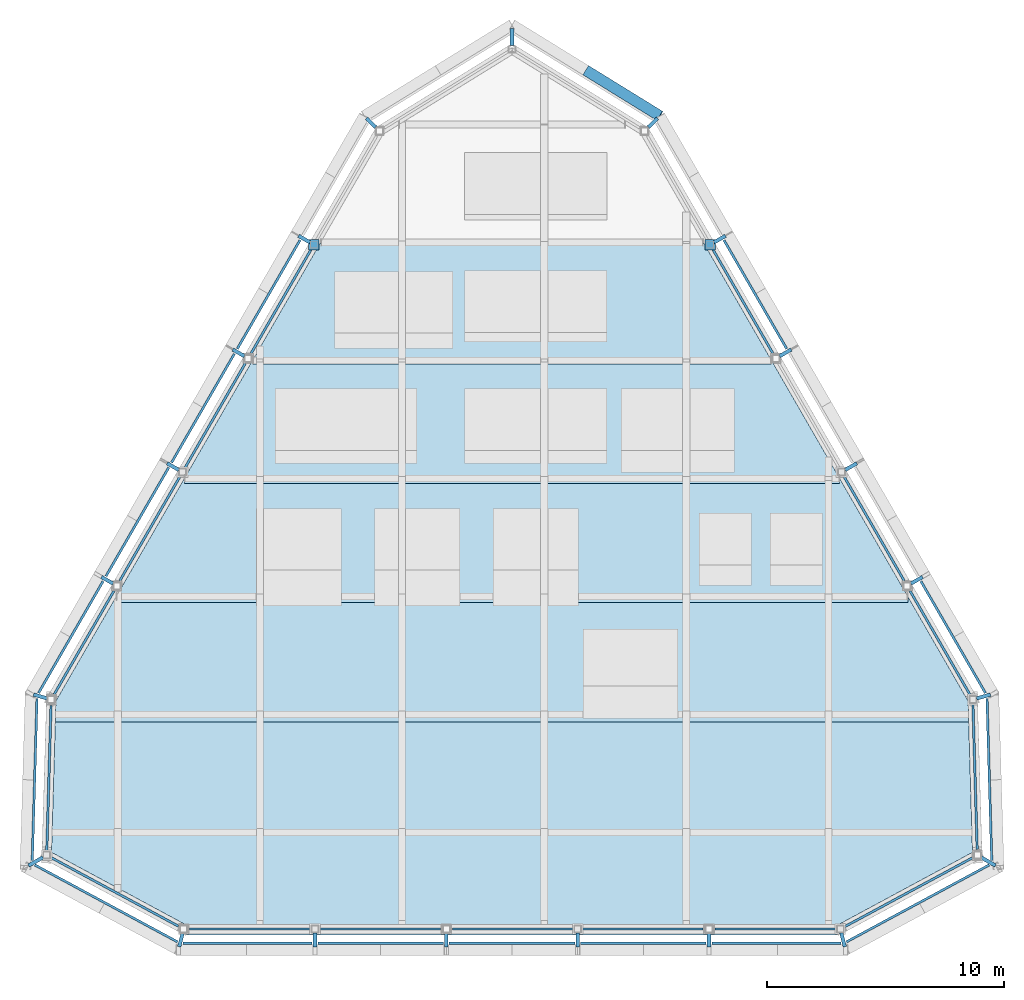
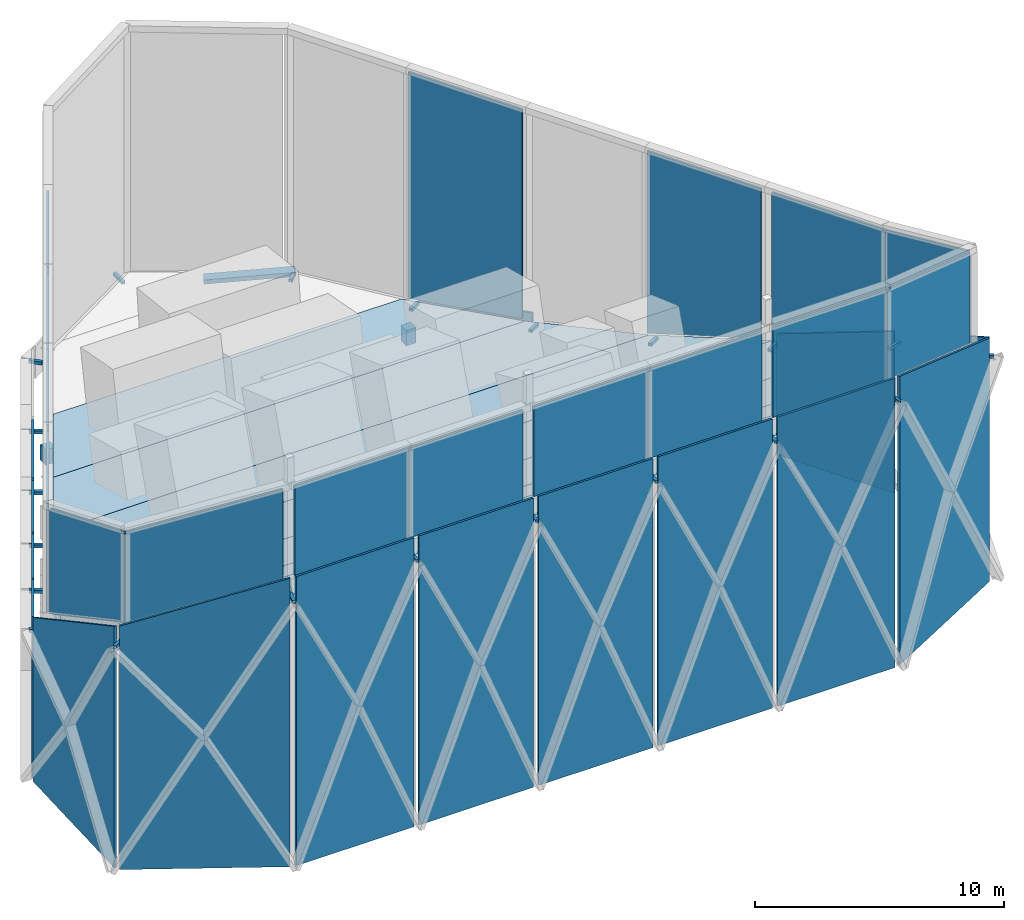
# One storey, part 5 of 13: 31 plates, 24 members, 6 slabs.
"""IFC4 building model written with IfcOpenShell, lengths in metres."""

from ifc_helpers import new_model, si_unit, direction, frame, origin, origin_2d, place, context, subcontext, project, spatial, polyline, rectangle, hollow_rectangle, outline, extrude, material, layer, layer_set, material_profile, profile_set, type_object, element, save


model = new_model("IFC4")

# Units and contexts
model_context = context("Model", 3, precision=1e-05, world=origin(), true_north=direction((0.0, 1.0)))
body_context = subcontext(model_context, "Body", "Model", "MODEL_VIEW")
ifc_project = project(units=[si_unit("LENGTHUNIT", "METRE"), si_unit("AREAUNIT", "SQUARE_METRE"), si_unit("VOLUMEUNIT", "CUBIC_METRE"), si_unit("PLANEANGLEUNIT", "RADIAN"), si_unit("MASSUNIT", "GRAM", prefix="KILO")], contexts=[model_context])

# Site, building, storey
site_placement = place(None, origin())
site = spatial("IfcSite", under=ifc_project, at=site_placement, CompositionType="ELEMENT")
building_placement = place(site_placement, origin())
building = spatial("IfcBuilding", under=site, at=building_placement, Name="Firuza Gate Tower and Library", CompositionType="ELEMENT")
storey_placement = place(building_placement, frame((0.0, 0.0, 358.0)))
storey = spatial("IfcBuildingStorey", under=building, at=storey_placement, Name="Upper roof", CompositionType="ELEMENT", Elevation=358.0)

# Members
ifc_material_1 = material(Name="Steel S355", Category="steel")
ifc_material_profile_1 = material_profile(ifc_material_1, hollow_rectangle(XDim=0.457275390625, YDim=0.203125, WallThickness=0.01171875, at=origin_2d()))
ifc_profile_set_1 = profile_set([ifc_material_profile_1], Name="Steel S355")
member_type_1 = type_object("IfcMemberType", Name="Crown lattice bar HSS203x457x13", PredefinedType="BRACE", material=ifc_profile_set_1)
member_1_placement = place(storey_placement, frame((81.241943359375, 94.860595703125, 0.50439453125), z_axis=(-0.844498510636, 0.521114312125, -0.123540030892), x_axis=(-0.525137077741, -0.85101765527, 0.0)))
element("IfcMember", 1, at=member_1_placement, inside=storey, type_object=member_type_1, Name="Crown lattice band bar 15.2a", PredefinedType="BRACE", context=body_context, shape_type="SweptSolid", body=[
    extrude(hollow_rectangle(XDim=0.457275390625, YDim=0.203125, WallThickness=0.01171875, at=origin_2d()), origin(), (0.0, 0.0, 1.0), 3.695556640625),
])
ifc_material_2 = material(Name="Steel S355", Category="steel")
ifc_material_profile_2 = material_profile(ifc_material_2, hollow_rectangle(XDim=0.15234375, YDim=0.15234375, WallThickness=0.0087890625, at=origin_2d()))
ifc_profile_set_2 = profile_set([ifc_material_profile_2], Name="Steel S355")
member_type_2 = type_object("IfcMemberType", Name="Crown lattice node stub HSS152x152x9.5", PredefinedType="BRACE", material=ifc_profile_set_2)
member_2_placement = place(storey_placement, frame((55.390869140625, 70.2734375, 6.963134765625), z_axis=(-0.962022974159, 0.272968491205, 0.0), x_axis=(-0.272968491205, -0.962022974159, 0.0)))
element("IfcMember", 2, at=member_2_placement, inside=storey, type_object=member_type_2, Name="Crown lattice band stub 1.t", PredefinedType="BRACE", context=body_context, shape_type="SweptSolid", body=[
    extrude(hollow_rectangle(XDim=0.15234375, YDim=0.15234375, WallThickness=0.0087890625, at=origin_2d()), origin(), (0.0, 0.0, 1.0), 0.607177734375),
])
member_3_placement = place(storey_placement, frame((55.19873046875, 63.56787109375, 10.5810546875), z_axis=(-0.865881945293, -0.500248395115, 0.0), x_axis=(0.500248395115, -0.865881945293, 0.0)))
element("IfcMember", 3, at=member_3_placement, inside=storey, type_object=member_type_2, Name="Crown lattice band stub 2.t", PredefinedType="BRACE", context=body_context, shape_type="SweptSolid", body=[
    extrude(hollow_rectangle(XDim=0.15234375, YDim=0.15234375, WallThickness=0.0087890625, at=origin_2d()), origin(), (0.0, 0.0, 1.0), 0.696533203125),
])
member_4_placement = place(storey_placement, frame((61.1025390625, 60.382568359375, 12.65380859375), z_axis=(-0.244705986985, -0.969597328758, 0.0), x_axis=(0.969597328758, -0.244705986985, 0.0)))
element("IfcMember", 4, at=member_4_placement, inside=storey, type_object=member_type_2, Name="Crown lattice band stub 3.t", PredefinedType="BRACE", context=body_context, shape_type="SweptSolid", body=[
    extrude(hollow_rectangle(XDim=0.15234375, YDim=0.15234375, WallThickness=0.0087890625, at=origin_2d()), origin(), (0.0, 0.0, 1.0), 0.608642578125),
])
for number, where, z_axis, x_axis, name in (
    (5, (66.685791015625, 60.382568359375, 12.65380859375), (0.0, -1.0, 0.0), (1.0, 0.0, 0.0), "Crown lattice band stub 4.t"),
    (6, (72.228515625, 60.382568359375, 12.65380859375), (0.0, -1.0, 0.0), (1.0, 0.0, 0.0), "Crown lattice band stub 5.t"),
    (7, (77.771484375, 60.382568359375, 12.65380859375), (0.0, -1.0, 0.0), (1.0, 0.0, 0.0), "Crown lattice band stub 6.t"),
    (8, (83.314208984375, 60.382568359375, 12.65380859375), (0.0, -1.0, 0.0), (1.0, 0.0, 0.0), "Crown lattice band stub 7.t"),
):
    element("IfcMember", number, at=place(storey_placement, frame(where, z_axis=z_axis, x_axis=x_axis)), inside=storey, type_object=member_type_2, Name=name, PredefinedType="BRACE", context=body_context, shape_type="SweptSolid", body=[
        extrude(hollow_rectangle(XDim=0.15234375, YDim=0.15234375, WallThickness=0.0087890625, at=origin_2d()), origin(), (0.0, 0.0, 1.0), 0.590087890625),
    ])
member_5_placement = place(storey_placement, frame((88.8974609375, 60.382568359375, 12.65380859375), z_axis=(0.244705986985, -0.969597328758, 0.0), x_axis=(0.969597328758, 0.244705986985, 0.0)))
element("IfcMember", 9, at=member_5_placement, inside=storey, type_object=member_type_2, Name="Crown lattice band stub 8.t", PredefinedType="BRACE", context=body_context, shape_type="SweptSolid", body=[
    extrude(hollow_rectangle(XDim=0.15234375, YDim=0.15234375, WallThickness=0.0087890625, at=origin_2d()), origin(), (0.0, 0.0, 1.0), 0.608642578125),
])
member_6_placement = place(storey_placement, frame((94.80126953125, 63.56787109375, 10.5810546875), z_axis=(0.865881945293, -0.500248395115, 0.0), x_axis=(0.500248395115, 0.865881945293, 0.0)))
element("IfcMember", 10, at=member_6_placement, inside=storey, type_object=member_type_2, Name="Crown lattice band stub 9.t", PredefinedType="BRACE", context=body_context, shape_type="SweptSolid", body=[
    extrude(hollow_rectangle(XDim=0.15234375, YDim=0.15234375, WallThickness=0.0087890625, at=origin_2d()), origin(), (0.0, 0.0, 1.0), 0.696533203125),
])
member_7_placement = place(storey_placement, frame((94.609130859375, 70.2734375, 6.963134765625), z_axis=(0.962022974159, 0.272968491205, 0.0), x_axis=(-0.272968491205, 0.962022974159, 0.0)))
element("IfcMember", 11, at=member_7_placement, inside=storey, type_object=member_type_2, Name="Crown lattice band stub 10.t", PredefinedType="BRACE", context=body_context, shape_type="SweptSolid", body=[
    extrude(hollow_rectangle(XDim=0.15234375, YDim=0.15234375, WallThickness=0.0087890625, at=origin_2d()), origin(), (0.0, 0.0, 1.0), 0.607177734375),
])
for number, where, z_axis, x_axis, name in (
    (12, (91.837646484375, 75.120849609375, 4.881591796875), (0.86613523903, 0.4998097115, 0.0), (-0.4998097115, 0.86613523903, 0.0), "Crown lattice band stub 11.t"),
    (13, (89.06640625, 79.9208984375, 3.22216796875), (0.865948210146, 0.500133679476, 0.0), (-0.500133679476, 0.865948210146, 0.0), "Crown lattice band stub 12.t"),
    (14, (86.294921875, 84.72119140625, 1.952880859375), (0.865948210146, 0.500133679476, 0.0), (-0.500133679476, 0.865948210146, 0.0), "Crown lattice band stub 13.t"),
    (15, (83.5234375, 89.521484375, 1.052001953125), (0.865948210146, 0.500133679476, 0.0), (-0.500133679476, 0.865948210146, 0.0), "Crown lattice band stub 14.t"),
):
    element("IfcMember", number, at=place(storey_placement, frame(where, z_axis=z_axis, x_axis=x_axis)), inside=storey, type_object=member_type_2, Name=name, PredefinedType="BRACE", context=body_context, shape_type="SweptSolid", body=[
        extrude(hollow_rectangle(XDim=0.15234375, YDim=0.15234375, WallThickness=0.0087890625, at=origin_2d()), origin(), (0.0, 0.0, 1.0), 0.565185546875),
    ])
member_8_placement = place(storey_placement, frame((80.751953125, 94.384765625, 0.50439453125), z_axis=(0.717450320093, 0.696609674207, 0.0), x_axis=(-0.696609674207, 0.717450320093, 0.0)))
element("IfcMember", 16, at=member_8_placement, inside=storey, type_object=member_type_2, Name="Crown lattice band stub 15.t", PredefinedType="BRACE", context=body_context, shape_type="SweptSolid", body=[
    extrude(hollow_rectangle(XDim=0.15234375, YDim=0.15234375, WallThickness=0.0087890625, at=origin_2d()), origin(), (0.0, 0.0, 1.0), 0.550537109375),
])
member_9_placement = place(storey_placement, frame((75.0, 97.839599609375, 0.323974609375), z_axis=(0.0, 1.0, 0.0), x_axis=(-1.0, 0.0, 0.0)))
element("IfcMember", 17, at=member_9_placement, inside=storey, type_object=member_type_2, Name="Crown lattice band stub 16.t", PredefinedType="BRACE", context=body_context, shape_type="SweptSolid", body=[
    extrude(hollow_rectangle(XDim=0.15234375, YDim=0.15234375, WallThickness=0.0087890625, at=origin_2d()), origin(), (0.0, 0.0, 1.0), 0.721435546875),
])
member_10_placement = place(storey_placement, frame((69.248046875, 94.384765625, 0.50439453125), z_axis=(-0.717450320093, 0.696609674207, 0.0), x_axis=(-0.696609674207, -0.717450320093, 0.0)))
element("IfcMember", 18, at=member_10_placement, inside=storey, type_object=member_type_2, Name="Crown lattice band stub 17.t", PredefinedType="BRACE", context=body_context, shape_type="SweptSolid", body=[
    extrude(hollow_rectangle(XDim=0.15234375, YDim=0.15234375, WallThickness=0.0087890625, at=origin_2d()), origin(), (0.0, 0.0, 1.0), 0.550537109375),
])
for number, where, z_axis, x_axis, name in (
    (19, (66.4765625, 89.521484375, 1.052001953125), (-0.865948210146, 0.500133679476, 0.0), (-0.500133679476, -0.865948210146, 0.0), "Crown lattice band stub 18.t"),
    (20, (63.705078125, 84.72119140625, 1.952880859375), (-0.865948210146, 0.500133679476, 0.0), (-0.500133679476, -0.865948210146, 0.0), "Crown lattice band stub 19.t"),
    (21, (60.93359375, 79.9208984375, 3.22216796875), (-0.865948210146, 0.500133679476, 0.0), (-0.500133679476, -0.865948210146, 0.0), "Crown lattice band stub 20.t"),
    (22, (58.162353515625, 75.120849609375, 4.881591796875), (-0.86613523903, 0.4998097115, 0.0), (-0.4998097115, -0.86613523903, 0.0), "Crown lattice band stub 21.t"),
):
    element("IfcMember", number, at=place(storey_placement, frame(where, z_axis=z_axis, x_axis=x_axis)), inside=storey, type_object=member_type_2, Name=name, PredefinedType="BRACE", context=body_context, shape_type="SweptSolid", body=[
        extrude(hollow_rectangle(XDim=0.15234375, YDim=0.15234375, WallThickness=0.0087890625, at=origin_2d()), origin(), (0.0, 0.0, 1.0), 0.565185546875),
    ])
ifc_material_3 = material(Name="Concrete C60/75", Category="concrete")
ifc_material_profile_3 = material_profile(ifc_material_3, rectangle(XDim=0.449951171875, YDim=0.449951171875, at=origin_2d()))
ifc_profile_set_3 = profile_set([ifc_material_profile_3], Name="Concrete C60/75")
member_type_3 = type_object("IfcMemberType", Name="Crown roof post 450x450", PredefinedType="POST", material=ifc_profile_set_3)
for number, where, z_axis, x_axis, name in (
    (23, (83.363525390625, 89.42919921875, -0.39990234375), (0.0, 0.0, 1.0), (1.0, 0.0, 0.0), "Crown roof post 14"),
    (24, (66.636474609375, 89.42919921875, -0.39990234375), (0.0, 0.0, 1.0), (1.0, 0.0, 0.0), "Crown roof post 18"),
):
    element("IfcMember", number, at=place(storey_placement, frame(where, z_axis=z_axis, x_axis=x_axis)), inside=storey, type_object=member_type_3, Name=name, PredefinedType="POST", context=body_context, shape_type="SweptSolid", body=[
        extrude(rectangle(XDim=0.449951171875, YDim=0.449951171875, at=origin_2d()), origin(), (0.0, 0.0, 1.0), 0.751953125),
    ])

# Slabs
ifc_material_4 = material(Name="Steel S355 and ceramic coating", Category="steel")
ifc_layer_1 = layer(ifc_material_4, 0.800048828125)
ifc_layer_set_1 = layer_set([ifc_layer_1], Name="Crown roof strip 800")
slab_type = type_object("IfcSlabType", Name="Crown roof strip 800", PredefinedType="ROOF", material=ifc_layer_set_1)
slab_1_placement = place(storey_placement, frame((64.045166015625, 84.540771484375, 2.6728515625), z_axis=(0.0, 0.184462793358, 0.98283949751), x_axis=(1.0, 0.0, 0.0)))
element("IfcSlab", 25, at=slab_1_placement, inside=storey, type_object=slab_type, Name="Crown roof strip 3", PredefinedType="ROOF", context=body_context, shape_type="SweptSolid", body=[
    extrude(outline(polyline([(0.0, 0.0), (21.90966796875, 0.0), (19.14501953125, 4.871933253667714), (19.03466796875, 5.066435049852844), (2.875, 5.066435049852844), (2.7646484375, 4.871933253667714), (0.0, 0.0)])), origin(), (0.0, 0.0, -1.0), 0.800048828125),
])
slab_2_placement = place(storey_placement, frame((61.170166015625, 79.56103515625, 4.00390625), z_axis=(0.0, 0.258227237694, 0.966084206326), x_axis=(1.0, 0.0, 0.0)))
element("IfcSlab", 26, at=slab_2_placement, inside=storey, type_object=slab_type, Name="Crown roof strip 4", PredefinedType="ROOF", context=body_context, shape_type="SweptSolid", body=[
    extrude(outline(polyline([(0.0, 0.0), (27.65966796875, 0.0), (27.56298828125, 0.17333724366156644), (24.79150390625, 5.142182464878713), (24.78466796875, 5.154559193443169), (2.875, 5.154559193443169), (2.8681640625, 5.142182464878713), (0.0966796875, 0.17333724366156644), (0.0, 0.0)])), origin(), (0.0, 0.0, -1.0), 0.800048828125),
])
slab_3_placement = place(storey_placement, frame((58.295166015625, 74.58154296875, 5.7568359375), z_axis=(0.0, 0.332054668187, 0.94326014298), x_axis=(1.0, 0.0, 0.0)))
element("IfcSlab", 27, at=slab_3_placement, inside=storey, type_object=slab_type, Name="Crown roof strip 5", PredefinedType="ROOF", context=body_context, shape_type="SweptSolid", body=[
    extrude(outline(polyline([(0.0, 0.0), (33.40966796875, 0.0), (33.209228515625, 0.3677734368331324), (30.53466796875, 5.279024998488504), (2.875, 5.279024998488504), (0.200439453125, 0.3677734368331324), (0.0, 0.0)])), origin(), (0.0, 0.0, -1.0), 0.800048828125),
])
slab_4_placement = place(storey_placement, frame((55.749267578125, 70.171875, 7.715087890625), z_axis=(0.0, 0.405864224394, 0.913933384529), x_axis=(-0.026605938189, -0.913609851534, 0.405720548202)))
element("IfcSlab", 28, at=slab_4_placement, inside=storey, type_object=slab_type, Name="Crown roof strip 6", PredefinedType="ROOF", context=body_context, shape_type="SweptSolid", body=[
    extrude(outline(polyline([(0.0, 0.0), (0.6239795936557441, 1.3010426069826053e-18), (-0.4012714004543295, 38.52102667194741), (-1.024367593818642, 38.487835300874636), (-5.779850731537944, 35.81446639867356), (-4.890955170646478, 2.41662547348878), (0.0, 0.0)])), origin(), (0.0, 0.0, -1.0), 0.800048828125),
])
slab_5_placement = place(storey_placement, frame((94.267333984375, 69.601806640625, 7.96826171875), z_axis=(0.0, 0.479659695127, 0.877454601031), x_axis=(-1.0, 0.0, 0.0)))
element("IfcSlab", 29, at=slab_5_placement, inside=storey, type_object=slab_type, Name="Crown roof strip 7", PredefinedType="ROOF", context=body_context, shape_type="SweptSolid", body=[
    extrude(outline(polyline([(0.0, 0.0), (38.53466796875, 0.0), (38.68017578125, 5.675206811010183), (-0.1455078125, 5.675206811010183), (0.0, 0.0)])), origin(), (0.0, 0.0, -1.0), 0.800048828125),
])
slab_6_placement = place(storey_placement, frame((94.412841796875, 64.6220703125, 10.6904296875), z_axis=(0.0, 0.553503337295, 0.832846958092), x_axis=(-1.0, 0.0, 0.0)))
element("IfcSlab", 30, at=slab_6_placement, inside=storey, type_object=slab_type, Name="Crown roof strip 8", PredefinedType="ROOF", context=body_context, shape_type="SweptSolid", body=[
    extrude(outline(polyline([(0.0, 0.0), (38.82568359375, 0.0), (38.8505859375, 1.0139945801957637), (33.219482421875, 4.6582811904820245), (5.606201171875, 4.6582811904820245), (-0.02490234375, 1.0139945801957637), (0.0, 0.0)])), origin(), (0.0, 0.0, -1.0), 0.800048828125),
])

# Plates
ifc_material_5 = material(Name="Perforated ceramic tile")
ifc_layer_2 = layer(ifc_material_5, 0.10009765625)
ifc_layer_set_2 = layer_set([ifc_layer_2], Name="Perforated ceramic SCREEN panel")
plate_type = type_object("IfcPlateType", Name="Perforated ceramic SCREEN panel", PredefinedType="SHEET", material=ifc_layer_set_2)
plate_1_placement = place(storey_placement, frame((54.902099609375, 70.278564453125, -0.39990234375), z_axis=(-0.999573157091, 0.029214784318, 0.0), x_axis=(-0.029214784318, -0.999573157091, 0.0)))
element("IfcPlate", 31, at=plate_1_placement, inside=storey, type_object=plate_type, Name="SCREEN roof band 1", PredefinedType="SHEET", context=body_context, shape_type="SweptSolid", body=[
    extrude(outline(polyline([(0.0, 0.0), (6.852534330686339, 0.0), (6.852534330686339, 11.836669921875002), (0.0, 8.048583984375002), (0.0, 0.0)])), origin(), (0.0, 0.0, -1.0), 0.10009765625),
])
plate_2_placement = place(storey_placement, frame((54.830078125, 63.206787109375, -0.39990234375), z_axis=(-0.474492827087, -0.880259369188, 0.0), x_axis=(0.880259369188, -0.474492827087, 0.0)))
element("IfcPlate", 32, at=plate_2_placement, inside=storey, type_object=plate_type, Name="SCREEN roof band 2", PredefinedType="SHEET", context=body_context, shape_type="SweptSolid", body=[
    extrude(outline(polyline([(0.0, 0.0), (6.852505787516797, 0.0), (6.852505787516797, 14.1435546875), (0.0, 11.941650390625), (0.0, 0.0)])), origin(), (0.0, 0.0, -1.0), 0.10009765625),
])
plate_3_placement = place(storey_placement, frame((61.111328125, 59.892578125, -0.39990234375), z_axis=(0.0, -1.0, 0.0), x_axis=(1.0, 0.0, 0.0)))
element("IfcPlate", 33, at=plate_3_placement, inside=storey, type_object=plate_type, Name="SCREEN roof band 3", PredefinedType="SHEET", context=body_context, shape_type="SweptSolid", body=[
    extrude(outline(polyline([(0.0, 0.0), (5.454345703125, 0.0), (5.454345703125, 14.18212890625), (0.0, 14.18212890625), (0.0, 0.0)])), origin(), (0.0, 0.0, -1.0), 0.10009765625),
])
plate_4_placement = place(storey_placement, frame((66.8056640625, 59.892578125, -0.39990234375), z_axis=(0.0, -1.0, 0.0), x_axis=(1.0, 0.0, 0.0)))
element("IfcPlate", 34, at=plate_4_placement, inside=storey, type_object=plate_type, Name="SCREEN roof band 4", PredefinedType="SHEET", context=body_context, shape_type="SweptSolid", body=[
    extrude(outline(polyline([(0.0, 0.0), (5.302978515625, 0.0), (5.302978515625, 14.18212890625), (0.0, 14.18212890625), (0.0, 0.0)])), origin(), (0.0, 0.0, -1.0), 0.10009765625),
])
plate_5_placement = place(storey_placement, frame((72.3486328125, 59.892578125, -0.39990234375), z_axis=(0.0, -1.0, 0.0), x_axis=(1.0, 0.0, 0.0)))
element("IfcPlate", 35, at=plate_5_placement, inside=storey, type_object=plate_type, Name="SCREEN roof band 5", PredefinedType="SHEET", context=body_context, shape_type="SweptSolid", body=[
    extrude(outline(polyline([(0.0, 0.0), (5.302734375, 0.0), (5.302734375, 14.18212890625), (0.0, 14.18212890625), (0.0, 0.0)])), origin(), (0.0, 0.0, -1.0), 0.10009765625),
])
plate_6_placement = place(storey_placement, frame((77.891357421875, 59.892578125, -0.39990234375), z_axis=(0.0, -1.0, 0.0), x_axis=(1.0, 0.0, 0.0)))
element("IfcPlate", 36, at=plate_6_placement, inside=storey, type_object=plate_type, Name="SCREEN roof band 6", PredefinedType="SHEET", context=body_context, shape_type="SweptSolid", body=[
    extrude(outline(polyline([(0.0, 0.0), (5.302978515625, 0.0), (5.302978515625, 14.18212890625), (0.0, 14.18212890625), (0.0, 0.0)])), origin(), (0.0, 0.0, -1.0), 0.10009765625),
])
plate_7_placement = place(storey_placement, frame((83.434326171875, 59.892578125, -0.39990234375), z_axis=(0.0, -1.0, 0.0), x_axis=(1.0, 0.0, 0.0)))
element("IfcPlate", 37, at=plate_7_placement, inside=storey, type_object=plate_type, Name="SCREEN roof band 7", PredefinedType="SHEET", context=body_context, shape_type="SweptSolid", body=[
    extrude(outline(polyline([(0.0, 0.0), (5.454345703125, 0.0), (5.454345703125, 14.18212890625), (0.0, 14.18212890625), (0.0, 0.0)])), origin(), (0.0, 0.0, -1.0), 0.10009765625),
])
plate_8_placement = place(storey_placement, frame((89.137939453125, 59.955322265625, -0.39990234375), z_axis=(0.474492827087, -0.880259369188, 0.0), x_axis=(0.880259369188, 0.474492827087, 0.0)))
element("IfcPlate", 38, at=plate_8_placement, inside=storey, type_object=plate_type, Name="SCREEN roof band 8", PredefinedType="SHEET", context=body_context, shape_type="SweptSolid", body=[
    extrude(outline(polyline([(0.0, 0.0), (6.852505787516797, 0.0), (6.852505787516797, 11.941650390625), (0.0, 14.1435546875), (0.0, 0.0)])), origin(), (0.0, 0.0, -1.0), 0.10009765625),
])
plate_9_placement = place(storey_placement, frame((95.298095703125, 63.428955078125, -0.39990234375), z_axis=(0.999573157091, 0.029214784318, 0.0), x_axis=(-0.029214784318, 0.999573157091, 0.0)))
element("IfcPlate", 39, at=plate_9_placement, inside=storey, type_object=plate_type, Name="SCREEN roof band 9", PredefinedType="SHEET", context=body_context, shape_type="SweptSolid", body=[
    extrude(outline(polyline([(0.0, 0.0), (6.852534330686339, 0.0), (6.852534330686339, 8.048583984375002), (0.0, 11.836669921875002), (0.0, 0.0)])), origin(), (0.0, 0.0, -1.0), 0.10009765625),
])
plate_10_placement = place(storey_placement, frame((95.02783203125, 70.52587890625, -0.39990234375), z_axis=(0.866017127856, 0.500014334054, 0.0), x_axis=(-0.500014334054, 0.866017127856, 0.0)))
element("IfcPlate", 40, at=plate_10_placement, inside=storey, type_object=plate_type, Name="SCREEN roof band 10", PredefinedType="SHEET", context=body_context, shape_type="SweptSolid", body=[
    extrude(outline(polyline([(0.0, 0.0), (5.454433475459374, 0.0), (5.454433475459374, 5.910400390625), (0.0, 7.937744140625), (0.0, 0.0)])), origin(), (0.0, 0.0, -1.0), 0.10009765625),
])
plate_11_placement = place(storey_placement, frame((86.6376953125, 85.057861328125, -0.39990234375), z_axis=(0.866024577697, 0.500001430823, 0.0), x_axis=(-0.500001430823, 0.866024577697, 0.0)))
element("IfcPlate", 41, at=plate_11_placement, inside=storey, type_object=plate_type, Name="SCREEN roof band 13", PredefinedType="SHEET", context=body_context, shape_type="SweptSolid", body=[
    extrude(outline(polyline([(0.0, 0.0), (5.302719200491929, 0.0), (5.302719200491929, 2.12646484375), (0.0, 2.967041015625), (0.0, 0.0)])), origin(), (0.0, 0.0, -1.0), 0.10009765625),
])
plate_12_placement = place(storey_placement, frame((66.013671875, 89.650146484375, -0.39990234375), z_axis=(-0.866024577697, 0.500001430823, 0.0), x_axis=(-0.500001430823, -0.866024577697, 0.0)))
element("IfcPlate", 42, at=plate_12_placement, inside=storey, type_object=plate_type, Name="SCREEN roof band 18", PredefinedType="SHEET", context=body_context, shape_type="SweptSolid", body=[
    extrude(outline(polyline([(0.0, 0.0), (5.302719200491929, 0.0), (5.302719200491929, 2.967041015625), (0.0, 2.12646484375), (0.0, 0.0)])), origin(), (0.0, 0.0, -1.0), 0.10009765625),
])
plate_13_placement = place(storey_placement, frame((63.2421875, 84.849853515625, -0.39990234375), z_axis=(-0.866024577697, 0.500001430823, 0.0), x_axis=(-0.500001430823, -0.866024577697, 0.0)))
element("IfcPlate", 43, at=plate_13_placement, inside=storey, type_object=plate_type, Name="SCREEN roof band 19", PredefinedType="SHEET", context=body_context, shape_type="SweptSolid", body=[
    extrude(outline(polyline([(0.0, 0.0), (5.302719200491929, 0.0), (5.302719200491929, 4.204589843750001), (0.0, 3.012939453125001), (0.0, 0.0)])), origin(), (0.0, 0.0, -1.0), 0.10009765625),
])
plate_14_placement = place(storey_placement, frame((60.470703125, 80.0498046875, -0.39990234375), z_axis=(-0.866036087236, 0.499981495263, 0.0), x_axis=(-0.499981495263, -0.866036087236, 0.0)))
element("IfcPlate", 44, at=plate_14_placement, inside=storey, type_object=plate_type, Name="SCREEN roof band 20", PredefinedType="SHEET", context=body_context, shape_type="SweptSolid", body=[
    extrude(outline(polyline([(0.0, 0.0), (5.302930633678593, 0.0), (5.302930633678593, 5.830322265625001), (0.0, 4.266845703125001), (0.0, 0.0)])), origin(), (0.0, 0.0, -1.0), 0.10009765625),
])
plate_15_placement = place(storey_placement, frame((57.699462890625, 75.24951171875, -0.39990234375), z_axis=(-0.866017127856, 0.500014334054, 0.0), x_axis=(-0.500014334054, -0.866017127856, 0.0)))
element("IfcPlate", 45, at=plate_15_placement, inside=storey, type_object=plate_type, Name="SCREEN roof band 21", PredefinedType="SHEET", context=body_context, shape_type="SweptSolid", body=[
    extrude(outline(polyline([(0.0, 0.0), (5.454433475459374, 0.0), (5.454433475459374, 7.937744140625), (0.0, 5.910400390625), (0.0, 0.0)])), origin(), (0.0, 0.0, -1.0), 0.10009765625),
])
plate_16_placement = place(storey_placement, frame((55.49365234375, 69.979736328125, 7.80078125), z_axis=(-0.999572448743, 0.029239010151, 0.0), x_axis=(-0.025613223968, -0.875620373946, 0.482320353592)))
element("IfcPlate", 46, at=plate_16_placement, inside=storey, type_object=plate_type, Name="SCREEN cresting 1", PredefinedType="SHEET", context=body_context, shape_type="SweptSolid", body=[
    extrude(outline(polyline([(0.0, 0.0), (7.21558728230937, 0.0), (9.354353049468909, 3.8844471410745274), (2.492027744887811, 4.526044973107978), (0.0, 0.0)])), origin(), (0.0, 0.0, -1.0), 0.10009765625),
])
plate_17_placement = place(storey_placement, frame((55.335205078125, 63.6162109375, 11.281005859375), z_axis=(-0.474472921912, -0.880270098533, 0.0), x_axis=(0.839491462946, -0.45249289736, 0.300839261864)))
element("IfcPlate", 47, at=plate_17_placement, inside=storey, type_object=plate_type, Name="SCREEN cresting 2", PredefinedType="SHEET", context=body_context, shape_type="SweptSolid", body=[
    extrude(outline(polyline([(0.0, 0.0), (6.627780137539511, -2.220446049250313e-16), (7.953353135128249, 4.202129851701827), (1.3340194124115825, 4.228905390982949), (0.0, 0.0)])), origin(), (0.0, 0.0, -1.0), 0.10009765625),
])
plate_18_placement = place(storey_placement, frame((61.392822265625, 60.492431640625, 13.353759765625), z_axis=(0.0, -1.0, 0.0), x_axis=(1.0, 0.0, 0.0)))
element("IfcPlate", 48, at=plate_18_placement, inside=storey, type_object=plate_type, Name="SCREEN cresting 3", PredefinedType="SHEET", context=body_context, shape_type="SweptSolid", body=[
    extrude(outline(polyline([(0.0, 0.0), (5.29296875, 0.0), (5.29296875, 4.405029296875), (0.0, 4.405029296875), (0.0, 0.0)])), origin(), (0.0, 0.0, -1.0), 0.10009765625),
])
plate_19_placement = place(storey_placement, frame((66.685791015625, 60.492431640625, 13.353759765625), z_axis=(0.0, -1.0, 0.0), x_axis=(1.0, 0.0, 0.0)))
element("IfcPlate", 49, at=plate_19_placement, inside=storey, type_object=plate_type, Name="SCREEN cresting 4", PredefinedType="SHEET", context=body_context, shape_type="SweptSolid", body=[
    extrude(outline(polyline([(0.0, 0.0), (5.292724609375, 0.0), (5.292724609375, 4.405029296875), (0.0, 4.405029296875), (0.0, 0.0)])), origin(), (0.0, 0.0, -1.0), 0.10009765625),
])
plate_20_placement = place(storey_placement, frame((72.478515625, 60.492431640625, 13.353759765625), z_axis=(0.0, -1.0, 0.0), x_axis=(1.0, 0.0, 0.0)))
element("IfcPlate", 50, at=plate_20_placement, inside=storey, type_object=plate_type, Name="SCREEN cresting 5", PredefinedType="SHEET", context=body_context, shape_type="SweptSolid", body=[
    extrude(outline(polyline([(0.0, 0.0), (5.29296875, 0.0), (5.29296875, 4.405029296875), (0.0, 4.405029296875), (0.0, 0.0)])), origin(), (0.0, 0.0, -1.0), 0.10009765625),
])
plate_21_placement = place(storey_placement, frame((77.771484375, 60.492431640625, 13.353759765625), z_axis=(0.0, -1.0, 0.0), x_axis=(1.0, 0.0, 0.0)))
element("IfcPlate", 51, at=plate_21_placement, inside=storey, type_object=plate_type, Name="SCREEN cresting 6", PredefinedType="SHEET", context=body_context, shape_type="SweptSolid", body=[
    extrude(outline(polyline([(0.0, 0.0), (5.292724609375, 0.0), (5.292724609375, 4.405029296875), (0.0, 4.405029296875), (0.0, 0.0)])), origin(), (0.0, 0.0, -1.0), 0.10009765625),
])
plate_22_placement = place(storey_placement, frame((83.564208984375, 60.492431640625, 13.353759765625), z_axis=(0.0, -1.0, 0.0), x_axis=(1.0, 0.0, 0.0)))
element("IfcPlate", 52, at=plate_22_placement, inside=storey, type_object=plate_type, Name="SCREEN cresting 7", PredefinedType="SHEET", context=body_context, shape_type="SweptSolid", body=[
    extrude(outline(polyline([(0.0, 0.0), (5.29296875, 0.0), (5.29296875, 4.405029296875), (0.0, 4.405029296875), (0.0, 0.0)])), origin(), (0.0, 0.0, -1.0), 0.10009765625),
])
plate_23_placement = place(storey_placement, frame((88.880859375, 60.49853515625, 13.353759765625), z_axis=(0.474472921912, -0.880270098533, 0.0), x_axis=(0.839491462946, 0.45249289736, -0.300839261864)))
element("IfcPlate", 53, at=plate_23_placement, inside=storey, type_object=plate_type, Name="SCREEN cresting 8", PredefinedType="SHEET", context=body_context, shape_type="SweptSolid", body=[
    extrude(outline(polyline([(0.0, 0.0), (6.627780137539511, 2.220446049250313e-16), (5.294127960555009, 4.227741237101162), (-1.3252057621616573, 4.200965697820038), (0.0, 0.0)])), origin(), (0.0, 0.0, -1.0), 0.10009765625),
])
plate_24_placement = place(storey_placement, frame((94.683837890625, 63.91162109375, 11.143310546875), z_axis=(0.99957241572, 0.029240139064, 0.0), x_axis=(-0.025614400849, 0.875626770381, -0.482308678608)))
element("IfcPlate", 54, at=plate_24_placement, inside=storey, type_object=plate_type, Name="SCREEN cresting 9", PredefinedType="SHEET", context=body_context, shape_type="SweptSolid", body=[
    extrude(outline(polyline([(0.0, 0.0), (7.215255754455776, 0.0), (4.709393696483152, 4.55131455212181), (-2.152726382400052, 3.909925879511815), (0.0, 0.0)])), origin(), (0.0, 0.0, -1.0), 0.10009765625),
])
plate_25_placement = place(storey_placement, frame((94.492431640625, 70.253173828125, 7.663330078125), z_axis=(0.866020436474, 0.500008603535, 0.0), x_axis=(-0.46807930721, 0.810718541777, -0.35162083013)))
element("IfcPlate", 55, at=plate_25_placement, inside=storey, type_object=plate_type, Name="SCREEN cresting 10", PredefinedType="SHEET", context=body_context, shape_type="SweptSolid", body=[
    extrude(outline(polyline([(0.0, 0.0), (5.653923030215341, -2.220446049250313e-16), (3.128021832524225, 6.724867456280582), (-1.826865938963589, 4.8637814143932525), (0.0, 0.0)])), origin(), (0.0, 0.0, -1.0), 0.10009765625),
])
plate_26_placement = place(storey_placement, frame((91.595947265625, 75.269775390625, 5.506591796875), z_axis=(0.866040409727, 0.499974008044, 0.0), x_axis=(-0.478971704853, 0.829660832053, -0.286790881493)))
element("IfcPlate", 56, at=plate_26_placement, inside=storey, type_object=plate_type, Name="SCREEN cresting 11", PredefinedType="SHEET", context=body_context, shape_type="SweptSolid", body=[
    extrude(outline(polyline([(0.0, 0.0), (5.524836243062519, 0.0), (2.9618527916378277, 8.561362658663011), (-2.1085711416378796, 7.043448612638617), (0.0, 0.0)])), origin(), (0.0, 0.0, -1.0), 0.10009765625),
])
plate_27_placement = place(storey_placement, frame((86.05322265625, 84.870361328125, 2.6123046875), z_axis=(0.866020436474, 0.500008603535, 0.0), x_axis=(-0.493531036317, 0.854801218344, -0.160443115496)))
element("IfcPlate", 57, at=plate_27_placement, inside=storey, type_object=plate_type, Name="SCREEN cresting 13", PredefinedType="SHEET", context=body_context, shape_type="SweptSolid", body=[
    extrude(outline(polyline([(0.0, 0.0), (5.362346398214454, -1.1102230246251565e-16), (3.5803153688224594, 10.963044251769507), (-1.6439935442823668, 10.113838467638946), (0.0, 0.0)])), origin(), (0.0, 0.0, -1.0), 0.10009765625),
])
plate_28_placement = place(storey_placement, frame((66.59326171875, 89.4541015625, 1.751953125), z_axis=(-0.866020436474, 0.500008603535, 0.0), x_axis=(-0.493531036317, -0.854801218344, 0.160443115496)))
element("IfcPlate", 58, at=plate_28_placement, inside=storey, type_object=plate_type, Name="SCREEN cresting 18", PredefinedType="SHEET", context=body_context, shape_type="SweptSolid", body=[
    extrude(outline(polyline([(0.0, 0.0), (5.362346398214454, 1.1102230246251565e-16), (7.006339942496821, 10.113838467638946), (1.782031029391994, 10.963044251769507), (0.0, 0.0)])), origin(), (0.0, 0.0, -1.0), 0.10009765625),
])
plate_29_placement = place(storey_placement, frame((63.69677734375, 84.4375, 2.710205078125), z_axis=(-0.866031967744, 0.499988630717, 0.0), x_axis=(-0.487376830942, -0.844187027469, 0.223186216678)))
element("IfcPlate", 59, at=plate_29_placement, inside=storey, type_object=plate_type, Name="SCREEN cresting 19", PredefinedType="SHEET", context=body_context, shape_type="SweptSolid", body=[
    extrude(outline(polyline([(0.0, 0.0), (5.430057825865996, 0.0), (7.424621170961952, 8.711345005670813), (2.265045859644688, 9.892689538061195), (0.0, 0.0)])), origin(), (0.0, 0.0, -1.0), 0.10009765625),
])
plate_30_placement = place(storey_placement, frame((61.05029296875, 79.853515625, 3.922119140625), z_axis=(-0.866040409727, 0.499974008044, 0.0), x_axis=(-0.478971704853, -0.829660832053, 0.286790881493)))
element("IfcPlate", 60, at=plate_30_placement, inside=storey, type_object=plate_type, Name="SCREEN cresting 20", PredefinedType="SHEET", context=body_context, shape_type="SweptSolid", body=[
    extrude(outline(polyline([(0.0, 0.0), (5.524836243062519, 0.0), (7.633407384700399, 7.043448612638617), (2.5629834514246914, 8.561362658663011), (0.0, 0.0)])), origin(), (0.0, 0.0, -1.0), 0.10009765625),
])
plate_31_placement = place(storey_placement, frame((58.154052734375, 74.8369140625, 5.67529296875), z_axis=(-0.866017890655, 0.500013012896, 0.0), x_axis=(-0.468085803786, -0.810720261244, 0.351608217058)))
element("IfcPlate", 61, at=plate_31_placement, inside=storey, type_object=plate_type, Name="SCREEN cresting 21", PredefinedType="SHEET", context=body_context, shape_type="SweptSolid", body=[
    extrude(outline(polyline([(0.0, 0.0), (5.386799502580052, -4.440892098500626e-16), (7.246649021812042, 4.951798383742519), (2.5258105905050336, 6.724901488195323), (0.0, 0.0)])), origin(), (0.0, 0.0, -1.0), 0.10009765625),
])

save(model, "model.ifc")
